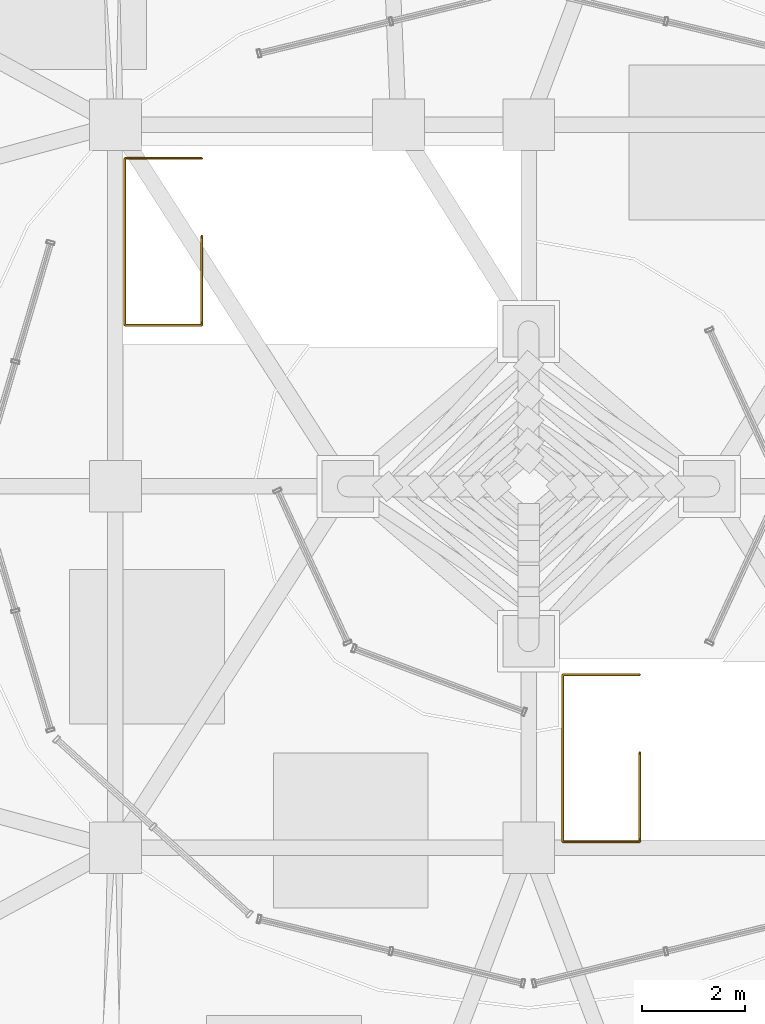
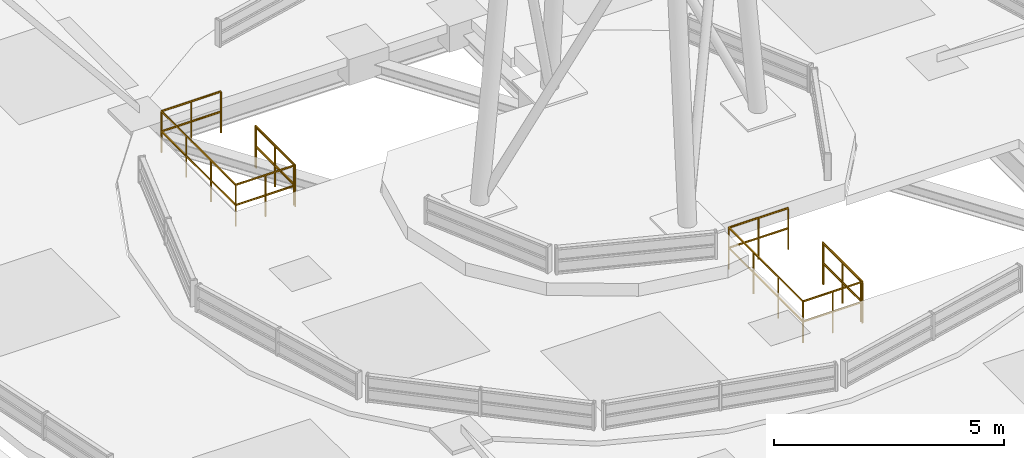
# One storey, part 21 of 21: 4 railings.
"""IFC4 building model written with IfcOpenShell, lengths in metres."""

from ifc_helpers import new_model, si_unit, direction, frame, origin, place, context, subcontext, project, spatial, polyline, outline, extrude, material, type_object, element, save


model = new_model("IFC4")

# Units and contexts
model_context = context("Model", 3, precision=1e-05, world=origin(), true_north=direction((0.0, 1.0)))
body_context = subcontext(model_context, "Body", "Model", "MODEL_VIEW")
ifc_project = project(units=[si_unit("LENGTHUNIT", "METRE"), si_unit("AREAUNIT", "SQUARE_METRE"), si_unit("VOLUMEUNIT", "CUBIC_METRE"), si_unit("PLANEANGLEUNIT", "RADIAN"), si_unit("MASSUNIT", "GRAM", prefix="KILO")], contexts=[model_context])

# Site, building, storey
site_placement = place(None, origin())
site = spatial("IfcSite", under=ifc_project, at=site_placement, CompositionType="ELEMENT")
building_placement = place(site_placement, origin())
building = spatial("IfcBuilding", under=site, at=building_placement, Name="Kelanora Arch Commons", CompositionType="ELEMENT")
storey_placement = place(building_placement, frame((0.0, 0.0, 311.10009765625)))
storey = spatial("IfcBuildingStorey", under=building, at=storey_placement, Name="RF", CompositionType="ELEMENT", Elevation=311.10009765625)

# Railings
ifc_material = material(Name="Painted steel stair well guard", Category="steel")
railing_type = type_object("IfcRailingType", Name="RAIL-STAIR-GRD", PredefinedType="GUARDRAIL", material=ifc_material)
for number, where, name in (
    (1, (67.669921875, 61.179931640625, 0.0), "RF ST-T1 top well guard 1"),
    (2, (76.14990234375, 51.179931640625, 0.0), "RF ST-T2 top well guard 1"),
):
    element("IfcRailing", number, at=place(storey_placement, frame(where)), inside=storey, type_object=railing_type, Name=name, PredefinedType="GUARDRAIL", context=body_context, shape_type="SweptSolid", body=[
        extrude(outline(polyline([(0.02392578125, 0.0), (0.011962890625, 0.020751953125), (-0.011962890625, 0.020751953125), (-0.02392578125, 0.0), (-0.011962890625, -0.020751953125), (0.011962890625, -0.020751953125), (0.02392578125, 0.0)])), frame((0.0, 0.0, 1.076171875), z_axis=(0.0, 1.0, 0.0), x_axis=(-1.0, 0.0, 0.0)), (0.0, 0.0, 1.0), 1.630126953125),
        extrude(outline(polyline([(0.02392578125, 0.0), (0.011962890625, 0.020751953125), (-0.011962890625, 0.020751953125), (-0.02392578125, 0.0), (-0.011962890625, -0.020751953125), (0.011962890625, -0.020751953125), (0.02392578125, 0.0)])), frame((0.0, 0.0, 0.550048828125), z_axis=(0.0, 1.0, 0.0), x_axis=(-1.0, 0.0, 0.0)), (0.0, 0.0, 1.0), 1.630126953125),
        extrude(outline(polyline([(0.02099609375, 0.0), (0.010498046875, 0.01806640625), (-0.010498046875, 0.01806640625), (-0.02099609375, 0.0), (-0.010498046875, -0.01806640625), (0.010498046875, -0.01806640625), (0.02099609375, 0.0)])), origin(), (0.0, 0.0, 1.0), 1.052001953125),
        extrude(outline(polyline([(0.02099609375, 0.0), (0.010498046875, 0.01806640625), (-0.010498046875, 0.01806640625), (-0.02099609375, 0.0), (-0.010498046875, -0.01806640625), (0.010498046875, -0.01806640625), (0.02099609375, 0.0)])), frame((0.0, 0.81494140625, 0.0)), (0.0, 0.0, 1.0), 1.052001953125),
        extrude(outline(polyline([(0.02099609375, 0.0), (0.010498046875, 0.01806640625), (-0.010498046875, 0.01806640625), (-0.02099609375, 0.0), (-0.010498046875, -0.01806640625), (0.010498046875, -0.01806640625), (0.02099609375, 0.0)])), frame((0.0, 1.630126953125, 0.0)), (0.0, 0.0, 1.0), 1.052001953125),
    ])
railing_1_placement = place(storey_placement, frame((67.675048828125, 62.85009765625, 0.0)))
element("IfcRailing", 3, at=railing_1_placement, inside=storey, type_object=railing_type, Name="Stair ST-T1 Roof Landing Guard", PredefinedType="GUARDRAIL", context=body_context, shape_type="SweptSolid", body=[
    extrude(outline(polyline([(0.02392578125, 0.0), (0.011962890625, 0.020751953125), (-0.011962890625, 0.020751953125), (-0.02392578125, 0.0), (-0.011962890625, -0.020751953125), (0.011962890625, -0.020751953125), (0.02392578125, 0.0)])), frame((0.0, 0.0, 1.09619140625), z_axis=(0.0, -1.0, 0.0), x_axis=(1.0, 0.0, 0.0)), (0.0, 0.0, 1.0), 1.72998046875),
    extrude(outline(polyline([(0.02392578125, 0.0), (0.011962890625, 0.020751953125), (-0.011962890625, 0.020751953125), (-0.02392578125, 0.0), (-0.011962890625, -0.020751953125), (0.011962890625, -0.020751953125), (0.02392578125, 0.0)])), frame((0.0, 0.0, 0.56005859375), z_axis=(0.0, -1.0, 0.0), x_axis=(1.0, 0.0, 0.0)), (0.0, 0.0, 1.0), 1.72998046875),
    extrude(outline(polyline([(0.02392578125, 0.0), (0.011962890625, 0.020751953125), (-0.011962890625, 0.020751953125), (-0.02392578125, 0.0), (-0.011962890625, -0.020751953125), (0.011962890625, -0.020751953125), (0.02392578125, 0.0)])), frame((0.0, -1.72998046875, 1.09619140625), z_axis=(-1.0, 0.0, 0.0), x_axis=(0.0, -1.0, 0.0)), (0.0, 0.0, 1.0), 1.4951171875),
    extrude(outline(polyline([(0.02392578125, 0.0), (0.011962890625, 0.020751953125), (-0.011962890625, 0.020751953125), (-0.02392578125, 0.0), (-0.011962890625, -0.020751953125), (0.011962890625, -0.020751953125), (0.02392578125, 0.0)])), frame((0.0, -1.72998046875, 0.56005859375), z_axis=(-1.0, 0.0, 0.0), x_axis=(0.0, -1.0, 0.0)), (0.0, 0.0, 1.0), 1.4951171875),
    extrude(outline(polyline([(0.02392578125, 0.0), (0.011962890625, 0.020751953125), (-0.011962890625, 0.020751953125), (-0.02392578125, 0.0), (-0.011962890625, -0.020751953125), (0.011962890625, -0.020751953125), (0.02392578125, 0.0)])), frame((-1.4951171875, -1.72998046875, 1.09619140625), z_axis=(0.0, 1.0, 0.0), x_axis=(-1.0, 0.0, 0.0)), (0.0, 0.0, 1.0), 3.22998046875),
    extrude(outline(polyline([(0.02392578125, 0.0), (0.011962890625, 0.020751953125), (-0.011962890625, 0.020751953125), (-0.02392578125, 0.0), (-0.011962890625, -0.020751953125), (0.011962890625, -0.020751953125), (0.02392578125, 0.0)])), frame((-1.4951171875, -1.72998046875, 0.56005859375), z_axis=(0.0, 1.0, 0.0), x_axis=(-1.0, 0.0, 0.0)), (0.0, 0.0, 1.0), 3.22998046875),
    extrude(outline(polyline([(0.02392578125, 0.0), (0.011962890625, 0.020751953125), (-0.011962890625, 0.020751953125), (-0.02392578125, 0.0), (-0.011962890625, -0.020751953125), (0.011962890625, -0.020751953125), (0.02392578125, 0.0)])), frame((-1.4951171875, 1.5, 1.09619140625), z_axis=(1.0, 0.0, 0.0), x_axis=(0.0, 1.0, 0.0)), (0.0, 0.0, 1.0), 1.4951171875),
    extrude(outline(polyline([(0.02392578125, 0.0), (0.011962890625, 0.020751953125), (-0.011962890625, 0.020751953125), (-0.02392578125, 0.0), (-0.011962890625, -0.020751953125), (0.011962890625, -0.020751953125), (0.02392578125, 0.0)])), frame((-1.4951171875, 1.5, 0.56005859375), z_axis=(1.0, 0.0, 0.0), x_axis=(0.0, 1.0, 0.0)), (0.0, 0.0, 1.0), 1.4951171875),
    extrude(outline(polyline([(0.02099609375, 0.0), (0.010498046875, 0.01806640625), (-0.010498046875, 0.01806640625), (-0.02099609375, 0.0), (-0.010498046875, -0.01806640625), (0.010498046875, -0.01806640625), (0.02099609375, 0.0)])), origin(), (0.0, 0.0, 1.0), 1.072021484375),
    extrude(outline(polyline([(0.02099609375, 0.0), (0.010498046875, 0.01806640625), (-0.010498046875, 0.01806640625), (-0.02099609375, 0.0), (-0.010498046875, -0.01806640625), (0.010498046875, -0.01806640625), (0.02099609375, 0.0)])), frame((0.0, -0.864990234375, 0.0)), (0.0, 0.0, 1.0), 1.072021484375),
    extrude(outline(polyline([(0.02099609375, 0.0), (0.010498046875, 0.01806640625), (-0.010498046875, 0.01806640625), (-0.02099609375, 0.0), (-0.010498046875, -0.01806640625), (0.010498046875, -0.01806640625), (0.02099609375, 0.0)])), frame((0.0, -1.72998046875, 0.0)), (0.0, 0.0, 1.0), 1.072021484375),
    extrude(outline(polyline([(0.02099609375, 0.0), (0.010498046875, 0.01806640625), (-0.010498046875, 0.01806640625), (-0.02099609375, 0.0), (-0.010498046875, -0.01806640625), (0.010498046875, -0.01806640625), (0.02099609375, 0.0)])), frame((-0.74755859375, -1.72998046875, 0.0)), (0.0, 0.0, 1.0), 1.072021484375),
    extrude(outline(polyline([(0.02099609375, 0.0), (0.010498046875, 0.01806640625), (-0.010498046875, 0.01806640625), (-0.02099609375, 0.0), (-0.010498046875, -0.01806640625), (0.010498046875, -0.01806640625), (0.02099609375, 0.0)])), frame((-1.4951171875, -1.72998046875, 0.0)), (0.0, 0.0, 1.0), 1.072021484375),
    extrude(outline(polyline([(0.02099609375, 0.0), (0.010498046875, 0.01806640625), (-0.010498046875, 0.01806640625), (-0.02099609375, 0.0), (-0.010498046875, -0.01806640625), (0.010498046875, -0.01806640625), (0.02099609375, 0.0)])), frame((-1.4951171875, -0.6533203125, 0.0)), (0.0, 0.0, 1.0), 1.072021484375),
    extrude(outline(polyline([(0.02099609375, 0.0), (0.010498046875, 0.01806640625), (-0.010498046875, 0.01806640625), (-0.02099609375, 0.0), (-0.010498046875, -0.01806640625), (0.010498046875, -0.01806640625), (0.02099609375, 0.0)])), frame((-1.4951171875, 0.42333984375, 0.0)), (0.0, 0.0, 1.0), 1.072021484375),
    extrude(outline(polyline([(0.02099609375, 0.0), (0.010498046875, 0.01806640625), (-0.010498046875, 0.01806640625), (-0.02099609375, 0.0), (-0.010498046875, -0.01806640625), (0.010498046875, -0.01806640625), (0.02099609375, 0.0)])), frame((-1.4951171875, 1.5, 0.0)), (0.0, 0.0, 1.0), 1.072021484375),
    extrude(outline(polyline([(0.02099609375, 0.0), (0.010498046875, 0.01806640625), (-0.010498046875, 0.01806640625), (-0.02099609375, 0.0), (-0.010498046875, -0.01806640625), (0.010498046875, -0.01806640625), (0.02099609375, 0.0)])), frame((-0.74755859375, 1.5, 0.0)), (0.0, 0.0, 1.0), 1.072021484375),
    extrude(outline(polyline([(0.02099609375, 0.0), (0.010498046875, 0.01806640625), (-0.010498046875, 0.01806640625), (-0.02099609375, 0.0), (-0.010498046875, -0.01806640625), (0.010498046875, -0.01806640625), (0.02099609375, 0.0)])), frame((0.0, 1.5, 0.0)), (0.0, 0.0, 1.0), 1.072021484375),
])
railing_2_placement = place(storey_placement, frame((76.155029296875, 52.85009765625, 0.0)))
element("IfcRailing", 4, at=railing_2_placement, inside=storey, type_object=railing_type, Name="Stair ST-T2 Roof Landing Guard", PredefinedType="GUARDRAIL", context=body_context, shape_type="SweptSolid", body=[
    extrude(outline(polyline([(0.02392578125, 0.0), (0.011962890625, 0.020751953125), (-0.011962890625, 0.020751953125), (-0.02392578125, 0.0), (-0.011962890625, -0.020751953125), (0.011962890625, -0.020751953125), (0.02392578125, 0.0)])), frame((0.0, 0.0, 1.09619140625), z_axis=(0.0, -1.0, 0.0), x_axis=(1.0, 0.0, 0.0)), (0.0, 0.0, 1.0), 1.72998046875),
    extrude(outline(polyline([(0.02392578125, 0.0), (0.011962890625, 0.020751953125), (-0.011962890625, 0.020751953125), (-0.02392578125, 0.0), (-0.011962890625, -0.020751953125), (0.011962890625, -0.020751953125), (0.02392578125, 0.0)])), frame((0.0, 0.0, 0.56005859375), z_axis=(0.0, -1.0, 0.0), x_axis=(1.0, 0.0, 0.0)), (0.0, 0.0, 1.0), 1.72998046875),
    extrude(outline(polyline([(0.02392578125, 0.0), (0.011962890625, 0.020751953125), (-0.011962890625, 0.020751953125), (-0.02392578125, 0.0), (-0.011962890625, -0.020751953125), (0.011962890625, -0.020751953125), (0.02392578125, 0.0)])), frame((0.0, -1.72998046875, 1.09619140625), z_axis=(-1.0, 0.0, 0.0), x_axis=(0.0, -1.0, 0.0)), (0.0, 0.0, 1.0), 1.4951171875),
    extrude(outline(polyline([(0.02392578125, 0.0), (0.011962890625, 0.020751953125), (-0.011962890625, 0.020751953125), (-0.02392578125, 0.0), (-0.011962890625, -0.020751953125), (0.011962890625, -0.020751953125), (0.02392578125, 0.0)])), frame((0.0, -1.72998046875, 0.56005859375), z_axis=(-1.0, 0.0, 0.0), x_axis=(0.0, -1.0, 0.0)), (0.0, 0.0, 1.0), 1.4951171875),
    extrude(outline(polyline([(0.02392578125, 0.0), (0.011962890625, 0.020751953125), (-0.011962890625, 0.020751953125), (-0.02392578125, 0.0), (-0.011962890625, -0.020751953125), (0.011962890625, -0.020751953125), (0.02392578125, 0.0)])), frame((-1.4951171875, -1.72998046875, 1.09619140625), z_axis=(0.0, 1.0, 0.0), x_axis=(-1.0, 0.0, 0.0)), (0.0, 0.0, 1.0), 3.22998046875),
    extrude(outline(polyline([(0.02392578125, 0.0), (0.011962890625, 0.020751953125), (-0.011962890625, 0.020751953125), (-0.02392578125, 0.0), (-0.011962890625, -0.020751953125), (0.011962890625, -0.020751953125), (0.02392578125, 0.0)])), frame((-1.4951171875, -1.72998046875, 0.56005859375), z_axis=(0.0, 1.0, 0.0), x_axis=(-1.0, 0.0, 0.0)), (0.0, 0.0, 1.0), 3.22998046875),
    extrude(outline(polyline([(0.02392578125, 0.0), (0.011962890625, 0.020751953125), (-0.011962890625, 0.020751953125), (-0.02392578125, 0.0), (-0.011962890625, -0.020751953125), (0.011962890625, -0.020751953125), (0.02392578125, 0.0)])), frame((-1.4951171875, 1.5, 1.09619140625), z_axis=(1.0, 0.0, 0.0), x_axis=(0.0, 1.0, 0.0)), (0.0, 0.0, 1.0), 1.4951171875),
    extrude(outline(polyline([(0.02392578125, 0.0), (0.011962890625, 0.020751953125), (-0.011962890625, 0.020751953125), (-0.02392578125, 0.0), (-0.011962890625, -0.020751953125), (0.011962890625, -0.020751953125), (0.02392578125, 0.0)])), frame((-1.4951171875, 1.5, 0.56005859375), z_axis=(1.0, 0.0, 0.0), x_axis=(0.0, 1.0, 0.0)), (0.0, 0.0, 1.0), 1.4951171875),
    extrude(outline(polyline([(0.02099609375, 0.0), (0.010498046875, 0.01806640625), (-0.010498046875, 0.01806640625), (-0.02099609375, 0.0), (-0.010498046875, -0.01806640625), (0.010498046875, -0.01806640625), (0.02099609375, 0.0)])), origin(), (0.0, 0.0, 1.0), 1.072021484375),
    extrude(outline(polyline([(0.02099609375, 0.0), (0.010498046875, 0.01806640625), (-0.010498046875, 0.01806640625), (-0.02099609375, 0.0), (-0.010498046875, -0.01806640625), (0.010498046875, -0.01806640625), (0.02099609375, 0.0)])), frame((0.0, -0.864990234375, 0.0)), (0.0, 0.0, 1.0), 1.072021484375),
    extrude(outline(polyline([(0.02099609375, 0.0), (0.010498046875, 0.01806640625), (-0.010498046875, 0.01806640625), (-0.02099609375, 0.0), (-0.010498046875, -0.01806640625), (0.010498046875, -0.01806640625), (0.02099609375, 0.0)])), frame((0.0, -1.72998046875, 0.0)), (0.0, 0.0, 1.0), 1.072021484375),
    extrude(outline(polyline([(0.02099609375, 0.0), (0.010498046875, 0.01806640625), (-0.010498046875, 0.01806640625), (-0.02099609375, 0.0), (-0.010498046875, -0.01806640625), (0.010498046875, -0.01806640625), (0.02099609375, 0.0)])), frame((-0.74755859375, -1.72998046875, 0.0)), (0.0, 0.0, 1.0), 1.072021484375),
    extrude(outline(polyline([(0.02099609375, 0.0), (0.010498046875, 0.01806640625), (-0.010498046875, 0.01806640625), (-0.02099609375, 0.0), (-0.010498046875, -0.01806640625), (0.010498046875, -0.01806640625), (0.02099609375, 0.0)])), frame((-1.4951171875, -1.72998046875, 0.0)), (0.0, 0.0, 1.0), 1.072021484375),
    extrude(outline(polyline([(0.02099609375, 0.0), (0.010498046875, 0.01806640625), (-0.010498046875, 0.01806640625), (-0.02099609375, 0.0), (-0.010498046875, -0.01806640625), (0.010498046875, -0.01806640625), (0.02099609375, 0.0)])), frame((-1.4951171875, -0.6533203125, 0.0)), (0.0, 0.0, 1.0), 1.072021484375),
    extrude(outline(polyline([(0.02099609375, 0.0), (0.010498046875, 0.01806640625), (-0.010498046875, 0.01806640625), (-0.02099609375, 0.0), (-0.010498046875, -0.01806640625), (0.010498046875, -0.01806640625), (0.02099609375, 0.0)])), frame((-1.4951171875, 0.42333984375, 0.0)), (0.0, 0.0, 1.0), 1.072021484375),
    extrude(outline(polyline([(0.02099609375, 0.0), (0.010498046875, 0.01806640625), (-0.010498046875, 0.01806640625), (-0.02099609375, 0.0), (-0.010498046875, -0.01806640625), (0.010498046875, -0.01806640625), (0.02099609375, 0.0)])), frame((-1.4951171875, 1.5, 0.0)), (0.0, 0.0, 1.0), 1.072021484375),
    extrude(outline(polyline([(0.02099609375, 0.0), (0.010498046875, 0.01806640625), (-0.010498046875, 0.01806640625), (-0.02099609375, 0.0), (-0.010498046875, -0.01806640625), (0.010498046875, -0.01806640625), (0.02099609375, 0.0)])), frame((-0.74755859375, 1.5, 0.0)), (0.0, 0.0, 1.0), 1.072021484375),
    extrude(outline(polyline([(0.02099609375, 0.0), (0.010498046875, 0.01806640625), (-0.010498046875, 0.01806640625), (-0.02099609375, 0.0), (-0.010498046875, -0.01806640625), (0.010498046875, -0.01806640625), (0.02099609375, 0.0)])), frame((0.0, 1.5, 0.0)), (0.0, 0.0, 1.0), 1.072021484375),
])

save(model, "model.ifc")
